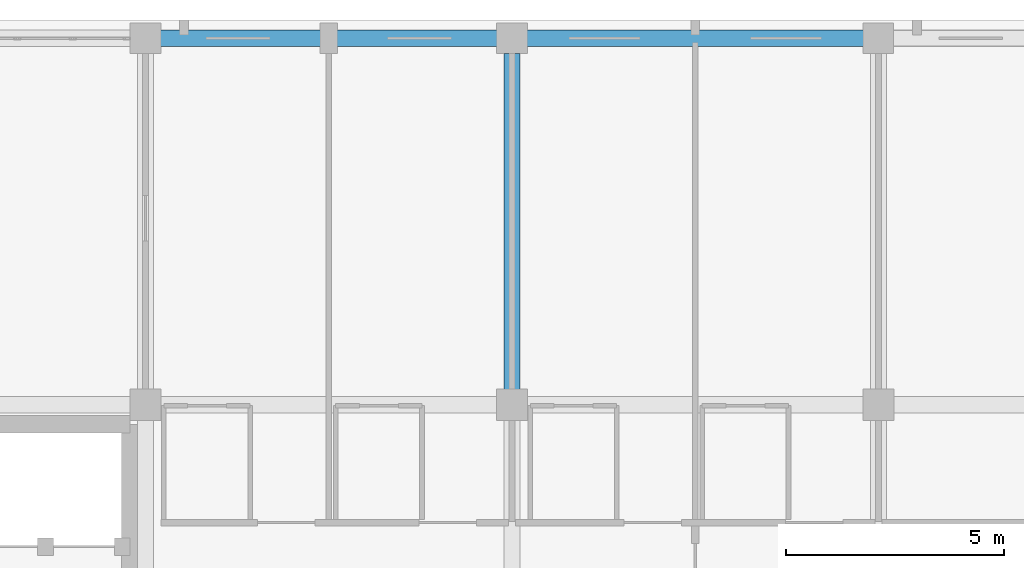
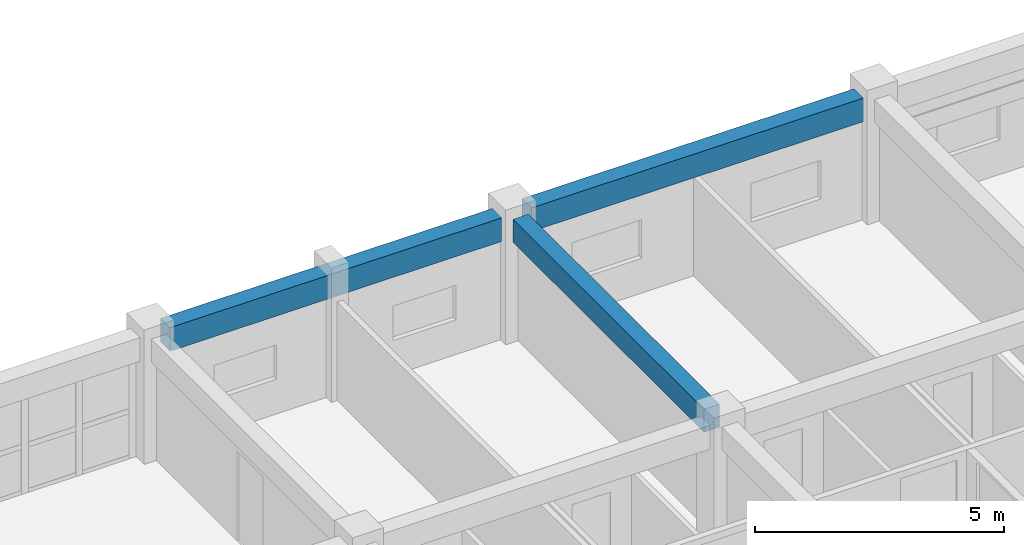
# One storey, part 60 of 148: 3 beams.
"""IFC4 building model written with IfcOpenShell, lengths in metres."""

from ifc_helpers import new_model, si_unit, direction, frame, origin, origin_2d, place, context, subcontext, project, spatial, rectangle, extrude, material, material_profile, profile_set, type_object, element, save


model = new_model("IFC4")

# Units and contexts
model_context = context("Model", 3, precision=1e-05, world=origin(), true_north=direction((0.0, 1.0)))
body_context = subcontext(model_context, "Body", "Model", "MODEL_VIEW")
ifc_project = project(units=[si_unit("LENGTHUNIT", "METRE"), si_unit("AREAUNIT", "SQUARE_METRE"), si_unit("VOLUMEUNIT", "CUBIC_METRE"), si_unit("PLANEANGLEUNIT", "RADIAN"), si_unit("MASSUNIT", "GRAM", prefix="KILO")], contexts=[model_context])

# Site, building, storey
site_placement = place(None, origin())
site = spatial("IfcSite", under=ifc_project, at=site_placement, CompositionType="ELEMENT")
building_placement = place(site_placement, origin())
building = spatial("IfcBuilding", under=site, at=building_placement, Name="Trelvath General Hospital", CompositionType="ELEMENT")
storey_placement = place(building_placement, frame((0.0, 0.0, 12.89990234375)))
storey = spatial("IfcBuildingStorey", under=building, at=storey_placement, Name="L03", CompositionType="ELEMENT", Elevation=12.89990234375)

# Beams
ifc_material_1 = material(Name="Concrete C35/45", Category="concrete")
ifc_material_profile_1 = material_profile(ifc_material_1, rectangle(XDim=0.360107421875, YDim=0.56005859375, at=origin_2d()), Name="RCB360x560")
ifc_profile_set_1 = profile_set([ifc_material_profile_1], Name="Concrete C35/45")
beam_type_1 = type_object("IfcBeamType", Name="Beam RC360x560", PredefinedType="BEAM", material=ifc_profile_set_1)
beam_placement = place(storey_placement, frame((58.800048828125, 109.554931640625, 2.739990234375), z_axis=(0.0, 1.0, 0.0), x_axis=(-1.0, 0.0, 0.0)))
element("IfcBeam", 1, at=beam_placement, inside=storey, type_object=beam_type_1, Name="Grid Beam BY-307N", PredefinedType="BEAM", context=body_context, shape_type="SweptSolid", body=[
    extrude(rectangle(XDim=0.360107421875, YDim=0.56005859375, at=origin_2d()), origin(), (0.0, 0.0, 1.0), 7.699951171875),
])
ifc_material_2 = material(Name="Concrete C35/45", Category="concrete")
ifc_material_profile_2 = material_profile(ifc_material_2, rectangle(XDim=0.3798828125, YDim=0.580078125, at=origin_2d()), Name="RCB380x580")
ifc_profile_set_2 = profile_set([ifc_material_profile_2], Name="Concrete C35/45")
beam_type_2 = type_object("IfcBeamType", Name="Beam RC380x580", PredefinedType="BEAM", material=ifc_profile_set_2)
for number, where, z_axis, x_axis, name in (
    (2, (50.7451171875, 117.60009765625, 2.72998046875), (1.0, 0.0, 0.0), (0.0, 1.0, 0.0), "Grid Beam BX-306O"),
    (3, (59.14501953125, 117.60009765625, 2.72998046875), (1.0, 0.0, 0.0), (0.0, 1.0, 0.0), "Grid Beam BX-307O"),
):
    element("IfcBeam", number, at=place(storey_placement, frame(where, z_axis=z_axis, x_axis=x_axis)), inside=storey, type_object=beam_type_2, Name=name, PredefinedType="BEAM", context=body_context, shape_type="SweptSolid", body=[
        extrude(rectangle(XDim=0.3798828125, YDim=0.580078125, at=origin_2d()), origin(), (0.0, 0.0, 1.0), 7.7099609375),
    ])

save(model, "model.ifc")
